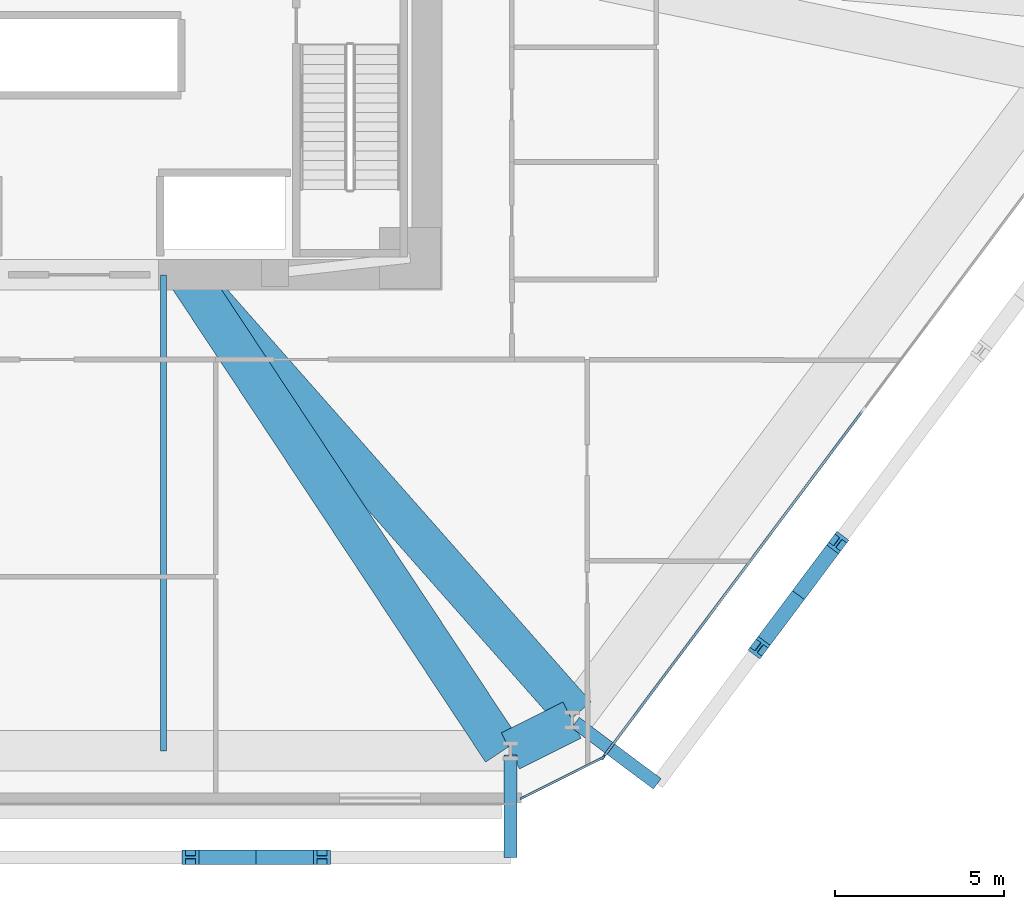
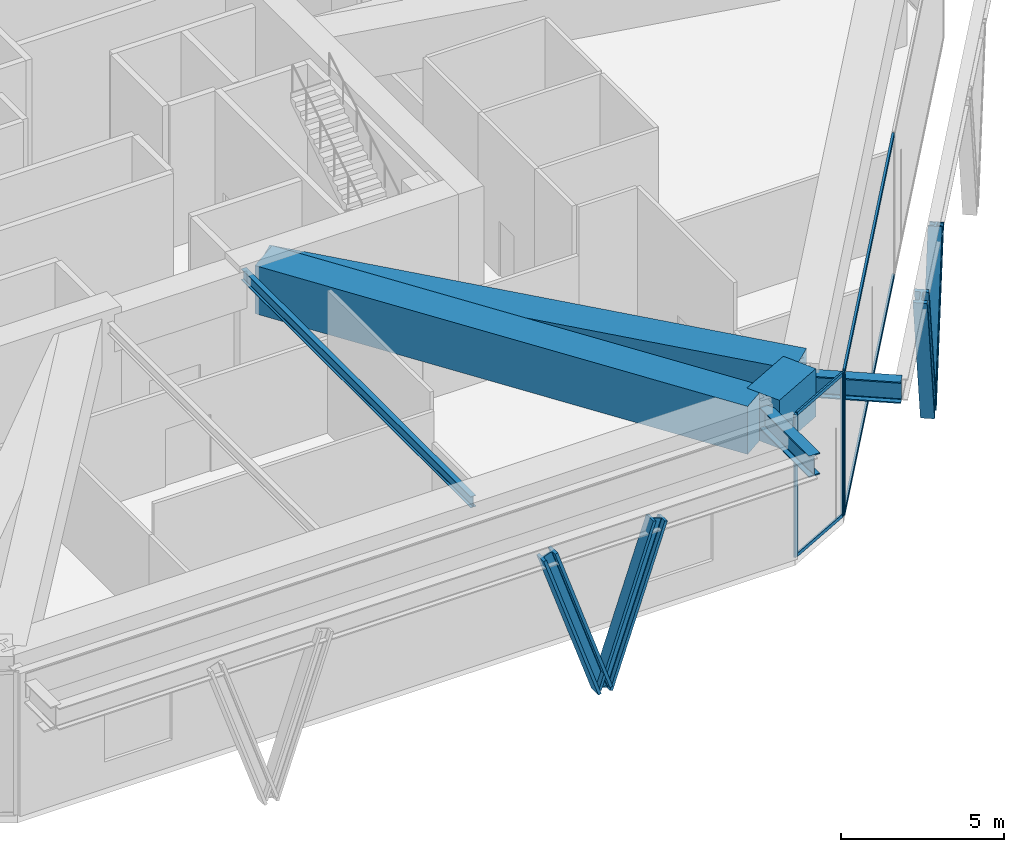
# One storey, part 5 of 19: 11 members, 6 beams, 2 elements without a shape of their own.
"""IFC4 building model written with IfcOpenShell, lengths in metres."""

import ifcopenshell
import ifcopenshell.guid

model = None  # the IFC model being written
_history = None  # IfcOwnerHistory: only IFC2X3 demands one
_inside = {}  # id of a spatial element -> (the spatial element, [elements in it])
_under = {}  # id of a project, library or spatial element -> (it, [spatial elements below it])
_declared = {}  # id of a project -> (the project, [libraries it declares])
_typed = {}  # id of a type object -> (the type object, [elements of that type])
_made_of = {}  # id of a material, layer set ... -> (it, [elements and type objects made of it])


def new_model(schema):
    """Start an empty IFC model of exactly this schema.

    Asked for "IFC4X3", IfcOpenShell would pick the latest addendum, in which some entities
    have other attributes; the version numbers below select the first issue.
    IFC2X3 requires an IfcOwnerHistory on every rooted entity: one is made here for all.
    """
    global model, _history
    if schema == "IFC4X3":
        model = ifcopenshell.file(schema_version=(4, 3, 0, 0))
    else:
        model = ifcopenshell.file(schema=schema)
    _inside.clear()
    _under.clear()
    _declared.clear()
    _typed.clear()
    _made_of.clear()
    _history = None
    if model.schema == "IFC2X3":
        org = make("IfcOrganization", Name="unknown")
        user = make(
            "IfcPersonAndOrganization",
            ThePerson=make("IfcPerson", FamilyName="unknown"),
            TheOrganization=org,
        )
        app = make(
            "IfcApplication",
            ApplicationDeveloper=org,
            Version="unknown",
            ApplicationFullName="unknown",
            ApplicationIdentifier="unknown",
        )
        _history = make(
            "IfcOwnerHistory",
            OwningUser=user,
            OwningApplication=app,
            ChangeAction="ADDED",
            CreationDate=0,
        )
    return model


def make(cls, **values):
    """One entity of the class cls with the attributes given. An attribute that is None is left unset."""
    return model.create_entity(
        cls, **{name: value for name, value in values.items() if value is not None}
    )


def rooted(cls, **values):
    """An entity with a GlobalId (a new one), such as an element, a storey or a relation."""
    return make(cls, GlobalId=ifcopenshell.guid.new(), OwnerHistory=_history, **values)


def si_unit(unit_type, name, prefix=None):
    """IfcSIUnit, for example si_unit("LENGTHUNIT", "METRE", prefix="MILLI")."""
    return make("IfcSIUnit", UnitType=unit_type, Prefix=prefix, Name=name)


def assignment(units):
    """IfcUnitAssignment: the units of a project."""
    return None if units is None else make("IfcUnitAssignment", Units=units)


def point(xyz):
    """IfcCartesianPoint."""
    return None if xyz is None else make("IfcCartesianPoint", Coordinates=xyz)


def direction(xyz):
    """IfcDirection."""
    return None if xyz is None else make("IfcDirection", DirectionRatios=xyz)


def frame(location, z_axis=None, x_axis=None):
    """IfcAxis2Placement3D, a coordinate frame: its origin and axes. An axis left out is left unset."""
    return make(
        "IfcAxis2Placement3D",
        Location=point(location),
        Axis=direction(z_axis),
        RefDirection=direction(x_axis),
    )


def frame_2d(location, x_axis=None):
    """IfcAxis2Placement2D, a coordinate frame in the plane: its origin and x axis."""
    return make(
        "IfcAxis2Placement2D", Location=point(location), RefDirection=direction(x_axis)
    )


def origin():
    """The frame at (0, 0, 0) with its axes left unset."""
    return frame((0.0, 0.0, 0.0))


def origin_2d():
    """The frame at (0, 0) in the plane with its x axis left unset."""
    return frame_2d((0.0, 0.0))


def place(relative_to, where):
    """IfcLocalPlacement: puts the frame where relative to a parent placement (None: the world)."""
    return make(
        "IfcLocalPlacement", PlacementRelTo=relative_to, RelativePlacement=where
    )


def context(
    kind, dimensions, precision=None, world=None, true_north=None, identifier=None
):
    """IfcGeometricRepresentationContext, for example the 3D "Model" context."""
    return make(
        "IfcGeometricRepresentationContext",
        ContextIdentifier=identifier,
        ContextType=kind,
        CoordinateSpaceDimension=dimensions,
        Precision=precision,
        WorldCoordinateSystem=world,
        TrueNorth=true_north,
    )


def subcontext(parent, identifier, kind, view, scale=None):
    """IfcGeometricRepresentationSubContext, for example "Body" below "Model"."""
    return make(
        "IfcGeometricRepresentationSubContext",
        ContextIdentifier=identifier,
        ContextType=kind,
        ParentContext=parent,
        TargetScale=scale,
        TargetView=view,
    )


def project(units=None, contexts=None):
    """IfcProject with its units and contexts."""
    return rooted(
        "IfcProject",
        Name="project",
        RepresentationContexts=contexts,
        UnitsInContext=assignment(units),
    )


def spatial(cls, under=None, at=None, **own):
    """A site, building, storey or space (cls), placed at a placement, below another one or the project."""
    s = rooted(cls, ObjectPlacement=at, **own)
    if under is not None:
        _under.setdefault(under.id(), (under, []))[1].append(s)
    return s


def profile(cls, at=None, kind="AREA", **sizes):
    """A parametric profile (cls). Its sizes go by their IFC names, for example OverallWidth=200.0."""
    return make(cls, ProfileType=kind, Position=at, **sizes)


def rectangle(**sizes):
    """IfcRectangleProfileDef."""
    return profile("IfcRectangleProfileDef", **sizes)


def i_section(**sizes):
    """IfcIShapeProfileDef."""
    return profile("IfcIShapeProfileDef", **sizes)


def extrude(swept, where, along, depth):
    """IfcExtrudedAreaSolid: the profile swept, set in the frame where, extruded along a direction by depth."""
    return make(
        "IfcExtrudedAreaSolid",
        SweptArea=swept,
        Position=where,
        ExtrudedDirection=direction(along),
        Depth=depth,
    )


def shape(context_of_items, identifier, shape_type, items):
    """IfcShapeRepresentation: the items that make up one representation, for example the "Body"."""
    return make(
        "IfcShapeRepresentation",
        ContextOfItems=context_of_items,
        RepresentationIdentifier=identifier,
        RepresentationType=shape_type,
        Items=items,
    )


def source(mapping_origin, context_of_items, identifier, shape_type, items):
    """IfcRepresentationMap: a shape defined once, which mapped items show again and again."""
    return make(
        "IfcRepresentationMap",
        MappingOrigin=mapping_origin,
        MappedRepresentation=shape(context_of_items, identifier, shape_type, items),
    )


def transform(
    local_origin,
    x_axis=None,
    y_axis=None,
    z_axis=None,
    scale=None,
    scale2=None,
    scale3=None,
    uniform=True,
):
    """IfcCartesianTransformationOperator3D, or its non-uniform kind. x_axis, y_axis, z_axis: its Axis1, 2, 3."""
    if uniform:
        return make(
            "IfcCartesianTransformationOperator3D",
            Axis1=direction(x_axis),
            Axis2=direction(y_axis),
            LocalOrigin=point(local_origin),
            Scale=scale,
            Axis3=direction(z_axis),
        )
    return make(
        "IfcCartesianTransformationOperator3DnonUniform",
        Axis1=direction(x_axis),
        Axis2=direction(y_axis),
        LocalOrigin=point(local_origin),
        Scale=scale,
        Axis3=direction(z_axis),
        Scale2=scale2,
        Scale3=scale3,
    )


def mapped(mapping_source, mapping_target):
    """IfcMappedItem: shows the shape of a source again, moved by a transform."""
    return make(
        "IfcMappedItem", MappingSource=mapping_source, MappingTarget=mapping_target
    )


def material(Name=None, Category=None):
    """IfcMaterial."""
    return make("IfcMaterial", Name=Name, Category=Category)


def layer(
    of_material, thickness, ventilated=None, Name=None, Category=None, Priority=None
):
    """IfcMaterialLayer: one layer of a wall or slab, of a material (None: an air gap)."""
    return make(
        "IfcMaterialLayer",
        Material=of_material,
        LayerThickness=thickness,
        IsVentilated=ventilated,
        Name=Name,
        Category=Category,
        Priority=Priority,
    )


def layer_set(layers, Name=None):
    """IfcMaterialLayerSet."""
    return make("IfcMaterialLayerSet", MaterialLayers=layers, LayerSetName=Name)


def material_profile(
    of_material, cross_section, Name=None, Category=None, Priority=None
):
    """IfcMaterialProfile: a cross section and its material."""
    return make(
        "IfcMaterialProfile",
        Name=Name,
        Material=of_material,
        Profile=cross_section,
        Priority=Priority,
        Category=Category,
    )


def profile_set(profiles, Name=None, composite=None):
    """IfcMaterialProfileSet."""
    return make(
        "IfcMaterialProfileSet",
        Name=Name,
        MaterialProfiles=profiles,
        CompositeProfile=composite,
    )


def made_of(thing, what):
    """Note that an element or type object is made of a material, layer set ...; save() writes the relation."""
    if what is not None:
        _made_of.setdefault(what.id(), (what, []))[1].append(thing)
    return thing


def type_object(cls, material=None, **own):
    """A type object (cls), such as IfcWallType, which elements share."""
    return made_of(rooted(cls, **own), material)


def type_shapes(of_type, sources):
    """Give a type object the sources (RepresentationMaps) that its elements show as mapped items."""
    of_type.RepresentationMaps = sources


def element(
    cls,
    number,
    at=None,
    inside=None,
    cuts=None,
    type_object=None,
    material=None,
    context=None,
    identifier="Body",
    shape_type=None,
    held_by="IfcProductDefinitionShape",
    body=None,
    shapes=None,
    **own,
):
    """One element of the class cls, such as IfcWall. Its Tag is "e" and its number.

    at: its placement. inside: the storey or other place that contains it. cuts: it is an
    opening in that element (IfcRelVoidsElement). A single representation is given by context,
    identifier, shape_type and body (its items); several are given by shapes. held_by: the class
    of the entity that holds the representations. save() writes the other relations.
    """
    e = rooted(cls, Tag="e%d" % number, ObjectPlacement=at, **own)
    if body is not None:
        shapes = [shape(context, identifier, shape_type, body)]
    if shapes is not None:
        e.Representation = make(held_by, Representations=shapes)
    if inside is not None:
        _inside.setdefault(inside.id(), (inside, []))[1].append(e)
    if cuts is not None:
        rooted(
            "IfcRelVoidsElement", RelatingBuildingElement=cuts, RelatedOpeningElement=e
        )
    if type_object is not None:
        _typed.setdefault(type_object.id(), (type_object, []))[1].append(e)
    return made_of(e, material)


def aggregate(whole, parts):
    """IfcRelAggregates: a whole, such as a stair, and the parts it consists of."""
    return rooted("IfcRelAggregates", RelatingObject=whole, RelatedObjects=parts)


def save(model, path):
    """Write the relations noted so far, then the file.

    IfcRelAggregates (storeys below a building ...), IfcRelContainedInSpatialStructure (elements
    in a storey), IfcRelDefinesByType, IfcRelAssociatesMaterial and IfcRelDeclares: one each for
    every whole, place, type object, material and project.
    """
    for whole, parts in _under.values():
        aggregate(whole, parts)
    for where, things in _inside.values():
        rooted(
            "IfcRelContainedInSpatialStructure",
            RelatedElements=things,
            RelatingStructure=where,
        )
    for kind, things in _typed.values():
        rooted("IfcRelDefinesByType", RelatedObjects=things, RelatingType=kind)
    for what, things in _made_of.values():
        rooted("IfcRelAssociatesMaterial", RelatedObjects=things, RelatingMaterial=what)
    for by, libraries in _declared.values():
        rooted("IfcRelDeclares", RelatingContext=by, RelatedDefinitions=libraries)
    model.write(path)


model = new_model("IFC4")

# Units and contexts
model_context = context("Model", 3, precision=1e-05, world=origin(), true_north=direction((0.0, 1.0)))
body_context = subcontext(model_context, "Body", "Model", "MODEL_VIEW")
ifc_project = project(units=[si_unit("LENGTHUNIT", "METRE"), si_unit("AREAUNIT", "SQUARE_METRE"), si_unit("VOLUMEUNIT", "CUBIC_METRE"), si_unit("PLANEANGLEUNIT", "RADIAN"), si_unit("MASSUNIT", "GRAM", prefix="KILO")], contexts=[model_context])

# Site, building, storey
site_placement = place(None, origin())
site = spatial("IfcSite", under=ifc_project, at=site_placement, CompositionType="ELEMENT")
building_placement = place(site_placement, origin())
building = spatial("IfcBuilding", under=site, at=building_placement, Name="Durnholm Broadcast Tower", CompositionType="ELEMENT")
storey_placement = place(building_placement, frame((0.0, 0.0, 26.800048828125)))
storey = spatial("IfcBuildingStorey", under=building, at=storey_placement, Name="L05", CompositionType="ELEMENT", Elevation=26.800048828125)

# Beams
ifc_material_1 = material(Name="Steel ASTM A992 Grade 50", Category="steel")
ifc_material_profile_1 = material_profile(ifc_material_1, i_section(OverallWidth=0.180908203125, OverallDepth=0.417236328125, WebThickness=0.010986328125, FlangeThickness=0.018310546875, FilletRadius=0.01904296875, at=origin_2d()), Name="W16X57")
ifc_profile_set_1 = profile_set([ifc_material_profile_1], Name="Steel ASTM A992 Grade 50")
beam_type_1 = type_object("IfcBeamType", Name="STL-BJ-W16X57", PredefinedType="JOIST", material=ifc_profile_set_1)
shared_shape_1 = source(origin(), body_context, "Body", "SweptSolid", [
    extrude(i_section(OverallWidth=0.180908203125, OverallDepth=0.417236328125, WebThickness=0.010986328125, FlangeThickness=0.018310546875, FilletRadius=0.01904296875, at=origin_2d()), origin(), (0.0, 0.0, 1.0), 14.099853515625),
])
type_shapes(beam_type_1, [shared_shape_1])
beam_1_placement = place(storey_placement, frame((2.5, -22.39990234375, 4.93115234375), z_axis=(0.0, 1.0, 0.0), x_axis=(-1.0, 0.0, 0.0)))
element("IfcBeam", 1, at=beam_1_placement, inside=storey, type_object=beam_type_1, Name="L05 secondary floor joist 6.1", PredefinedType="JOIST", context=body_context, shape_type="MappedRepresentation", body=[
    mapped(shared_shape_1, transform((0.0, 0.0, 0.0), x_axis=(1.0, 0.0, 0.0), y_axis=(0.0, 1.0, 0.0), z_axis=(0.0, 0.0, 1.0), scale=1.0)),
])
ifc_material_profile_2 = material_profile(ifc_material_1, i_section(OverallWidth=0.385009765625, OverallDepth=0.802978515625, WebThickness=0.023681640625, FlangeThickness=0.0419921875, FilletRadius=0.032958984375, at=origin_2d()), Name="W30X261")
ifc_profile_set_2 = profile_set([ifc_material_profile_2], Name="Steel ASTM A992 Grade 50")
beam_type_2 = type_object("IfcBeamType", Name="BM-EXO-TIE", PredefinedType="USERDEFINED", material=ifc_profile_set_2)
shared_shape_2 = source(origin(), body_context, "Body", "SweptSolid", [
    extrude(i_section(OverallWidth=0.385009765625, OverallDepth=0.802978515625, WebThickness=0.023681640625, FlangeThickness=0.0419921875, FilletRadius=0.032958984375, at=origin_2d()), origin(), (0.0, 0.0, 1.0), 3.024169921875),
])
type_shapes(beam_type_2, [shared_shape_2])
for number, where, z_axis, x_axis, name in (
    (2, (12.77197265625, -22.52587890625, 4.6083984375), (0.0, -1.0, 0.0), (1.0, 0.0, 0.0), "L05 exoskeleton stand-off tie bracket F1.2"),
    (3, (14.6953125, -21.56298828125, 4.6083984375), (0.800609912919, -0.599185920509, 0.0), (0.599185920509, 0.800609912919, 0.0), "L05 exoskeleton stand-off tie bracket F2.1"),
):
    element("IfcBeam", number, at=place(storey_placement, frame(where, z_axis=z_axis, x_axis=x_axis)), inside=storey, type_object=beam_type_2, Name=name, ObjectType="GIRDER", PredefinedType="USERDEFINED", context=body_context, shape_type="MappedRepresentation", body=[
        mapped(shared_shape_2, transform((0.0, 0.0, 0.0), x_axis=(1.0, 0.0, 0.0), y_axis=(0.0, 1.0, 0.0), z_axis=(0.0, 0.0, 1.0), scale=1.0)),
    ])
ifc_material_2 = material(Name="Concrete C70/85", Category="concrete")
ifc_material_profile_3 = material_profile(ifc_material_2, rectangle(XDim=1.199951171875, YDim=1.800048828125, at=origin_2d()), Name="RC1200X1800")
ifc_profile_set_3 = profile_set([ifc_material_profile_3], Name="Concrete C70/85")
beam_type_3 = type_object("IfcBeamType", Name="BM-TG-RC1800", PredefinedType="USERDEFINED", material=ifc_profile_set_3)
shared_shape_3 = source(origin(), body_context, "Body", "SweptSolid", [
    extrude(rectangle(XDim=1.199951171875, YDim=1.800048828125, at=origin_2d()), origin(), (0.0, 0.0, 1.0), 2.0380859375),
])
beam_2_placement = place(storey_placement, frame((14.594482421875, -21.487548828125, 4.4599609375), z_axis=(-0.894211470078, -0.447644777452, 0.0), x_axis=(0.447644777452, -0.894211470078, 0.0)))
element("IfcBeam", 4, at=beam_2_placement, inside=storey, type_object=beam_type_3, Name="L05 perimeter transfer spandrel girder 10", PredefinedType="SPANDREL", context=body_context, shape_type="MappedRepresentation", body=[
    mapped(shared_shape_3, transform((0.0, 0.0, 0.0), x_axis=(1.0, 0.0, 0.0), y_axis=(0.0, 1.0, 0.0), z_axis=(0.0, 0.0, 1.0), scale=1.0)),
])
shared_shape_4 = source(origin(), body_context, "Body", "SweptSolid", [
    extrude(rectangle(XDim=1.199951171875, YDim=1.800048828125, at=origin_2d()), origin(), (0.0, 0.0, 1.0), 17.3896484375),
])
beam_3_placement = place(storey_placement, frame((3.199951171875, -8.300048828125, 4.4599609375), z_axis=(0.66161792239, -0.749841133023, 0.0), x_axis=(0.749841133023, 0.66161792239, 0.0)))
element("IfcBeam", 5, at=beam_3_placement, inside=storey, type_object=beam_type_3, Name="L05 radial setback transfer girder 10", ObjectType="GIRDER", PredefinedType="USERDEFINED", context=body_context, shape_type="MappedRepresentation", body=[
    mapped(shared_shape_4, transform((0.0, 0.0, 0.0), x_axis=(1.0, 0.0, 0.0), y_axis=(0.0, 1.0, 0.0), z_axis=(0.0, 0.0, 1.0), scale=1.0)),
])
shared_shape_5 = source(origin(), body_context, "Body", "SweptSolid", [
    extrude(rectangle(XDim=1.199951171875, YDim=1.800048828125, at=origin_2d()), origin(), (0.0, 0.0, 1.0), 16.9091796875),
])
type_shapes(beam_type_3, [shared_shape_3, shared_shape_4, shared_shape_5])
beam_4_placement = place(storey_placement, frame((3.199951171875, -8.300048828125, 4.4599609375), z_axis=(0.551978381139, -0.83385842129, 0.0), x_axis=(0.83385842129, 0.551978381139, 0.0)))
element("IfcBeam", 6, at=beam_4_placement, inside=storey, type_object=beam_type_3, Name="L05 radial setback transfer girder 11", ObjectType="GIRDER", PredefinedType="USERDEFINED", context=body_context, shape_type="MappedRepresentation", body=[
    mapped(shared_shape_5, transform((0.0, 0.0, 0.0), x_axis=(1.0, 0.0, 0.0), y_axis=(0.0, 1.0, 0.0), z_axis=(0.0, 0.0, 1.0), scale=1.0)),
])

# Members
ifc_material_3 = material(Name="Steel ASTM A913 Grade 65", Category="steel")
ifc_material_profile_4 = material_profile(ifc_material_3, i_section(OverallWidth=0.44189453125, OverallDepth=0.531494140625, WebThickness=0.06591796875, FlangeThickness=0.105712890625, FilletRadius=0.030517578125, at=origin_2d()), Name="W14X605")
ifc_profile_set_4 = profile_set([ifc_material_profile_4], Name="Steel ASTM A913 Grade 65")
member_type_1 = type_object("IfcMemberType", Name="STL-DG-W14X605", PredefinedType="BRACE", material=ifc_profile_set_4)
shared_shape_6 = source(origin(), body_context, "Body", "SweptSolid", [
    extrude(i_section(OverallWidth=0.44189453125, OverallDepth=0.531494140625, WebThickness=0.06591796875, FlangeThickness=0.105712890625, FilletRadius=0.030517578125, at=origin_2d()), origin(), (0.0, 0.0, 1.0), 6.00341796875),
])
type_shapes(member_type_1, [shared_shape_6])
for number, where, z_axis, x_axis, name in (
    (7, (5.242431640625, -25.550048828125, -1.071533203125), (-0.323866827071, 0.0, 0.946102678531), (0.0, -1.0, 0.0), "L05 stand-off diagrid brace F1.D2.1"),
    (8, (5.242431640625, -25.550048828125, -1.071533203125), (0.323830425483, 0.0, 0.946115138623), (0.0, 1.0, 0.0), "L05 stand-off diagrid brace F1.D2.2"),
    (9, (21.298095703125, -17.787109375, -1.071533203125), (-0.194022731691, -0.259252759281, 0.946120069754), (0.800617464095, -0.599175830776, 0.0), "L05 stand-off diagrid brace F2.D1.1"),
    (10, (21.298095703125, -17.787109375, -1.071533203125), (0.194059821321, 0.259288646425, 0.946102628463), (-0.800602308277, 0.599196081414, 0.0), "L05 stand-off diagrid brace F2.D1.2"),
):
    element("IfcMember", number, at=place(storey_placement, frame(where, z_axis=z_axis, x_axis=x_axis)), inside=storey, type_object=member_type_1, Name=name, PredefinedType="BRACE", context=body_context, shape_type="MappedRepresentation", body=[
        mapped(shared_shape_6, transform((0.0, 0.0, 0.0), x_axis=(1.0, 0.0, 0.0), y_axis=(0.0, 1.0, 0.0), z_axis=(0.0, 0.0, 1.0), scale=1.0)),
    ])

# Curtain wall, members
ifc_material_4 = material(Name="Aluminium and Solar Control IGU", Category="aluminium")
ifc_layer_1 = layer(ifc_material_4, 0.1650390625)
ifc_layer_set_1 = layer_set([ifc_layer_1], Name="Aluminium and Solar Control IGU")
curtain_wall_type_1 = type_object("IfcCurtainWallType", Name="CW-SYS-5", PredefinedType="NOTDEFINED", material=ifc_layer_set_1)
curtain_wall_1_placement = place(storey_placement, origin())
curtain_wall_1 = element("IfcCurtainWall", 11, at=curtain_wall_1_placement, inside=storey, type_object=curtain_wall_type_1, Name="L05 curtain wall CW-CORNER CW-L05-CRN-09", PredefinedType="NOTDEFINED")
ifc_material_5 = material(Name="Aluminium 6063-T6", Category="aluminium")
ifc_material_profile_5 = material_profile(ifc_material_5, rectangle(XDim=0.06494140625, YDim=0.1298828125, at=origin_2d()), Name="CWT65X130")
ifc_profile_set_5 = profile_set([ifc_material_profile_5], Name="Aluminium 6063-T6")
member_type_2 = type_object("IfcMemberType", Name="CW-SYS-5-TRN", PredefinedType="USERDEFINED", material=ifc_profile_set_5)
shared_shape_7 = source(origin(), body_context, "Body", "SweptSolid", [
    extrude(rectangle(XDim=0.06494140625, YDim=0.1298828125, at=origin_2d()), origin(), (0.0, 0.0, 1.0), 2.570068359375),
])
type_shapes(member_type_2, [shared_shape_7])
member_1_placement = place(storey_placement, frame((15.458984375, -22.620361328125, 0.032470703125), z_axis=(-0.894180069769, -0.447707496953, 0.0), x_axis=(0.447707496953, -0.894180069769, 0.0)))
member_1 = element("IfcMember", 12, at=member_1_placement, type_object=member_type_2, Name="CW-CORNER transom 1.1", ObjectType="TRANSOM", PredefinedType="USERDEFINED", context=body_context, shape_type="MappedRepresentation", body=[
    mapped(shared_shape_7, transform((0.0, 0.0, 0.0), x_axis=(1.0, 0.0, 0.0), y_axis=(0.0, 1.0, 0.0), z_axis=(0.0, 0.0, 1.0), scale=1.0)),
])
member_2_placement = place(storey_placement, frame((15.458984375, -22.620361328125, 5.327392578125), z_axis=(-0.894180069769, -0.447707496953, 0.0), x_axis=(0.447707496953, -0.894180069769, 0.0)))
member_2 = element("IfcMember", 13, at=member_2_placement, type_object=member_type_2, Name="CW-CORNER transom 1.2", ObjectType="TRANSOM", PredefinedType="USERDEFINED", context=body_context, shape_type="MappedRepresentation", body=[
    mapped(shared_shape_7, transform((0.0, 0.0, 0.0), x_axis=(1.0, 0.0, 0.0), y_axis=(0.0, 1.0, 0.0), z_axis=(0.0, 0.0, 1.0), scale=1.0)),
])

ifc_layer_2 = layer(ifc_material_4, 0.219970703125)
ifc_layer_set_2 = layer_set([ifc_layer_2], Name="Aluminium and Solar Control IGU")
curtain_wall_type_2 = type_object("IfcCurtainWallType", Name="CW-SYS-2", PredefinedType="NOTDEFINED", material=ifc_layer_set_2)
curtain_wall_2_placement = place(storey_placement, origin())
curtain_wall_2 = element("IfcCurtainWall", 14, at=curtain_wall_2_placement, inside=storey, type_object=curtain_wall_type_2, Name="L05 curtain wall CW-STUDIO CW-L05-F08", PredefinedType="NOTDEFINED")
ifc_material_profile_6 = material_profile(ifc_material_5, rectangle(XDim=0.074951171875, YDim=0.179931640625, at=origin_2d()), Name="CWT75X180")
ifc_profile_set_6 = profile_set([ifc_material_profile_6], Name="Aluminium 6063-T6")
member_type_3 = type_object("IfcMemberType", Name="CW-SYS-2-TRN", PredefinedType="USERDEFINED", material=ifc_profile_set_6)
shared_shape_8 = source(origin(), body_context, "Body", "SweptSolid", [
    extrude(rectangle(XDim=0.074951171875, YDim=0.179931640625, at=origin_2d()), origin(), (0.0, 0.0, 1.0), 12.736328125),
])
type_shapes(member_type_3, [shared_shape_8])
member_3_placement = place(storey_placement, frame((23.193115234375, -12.334228515625, 0.037353515625), z_axis=(-0.59916237373, -0.800627535066, 0.0), x_axis=(0.800627535066, -0.59916237373, 0.0)))
member_3 = element("IfcMember", 15, at=member_3_placement, type_object=member_type_3, Name="CW-STUDIO transom 2.1", ObjectType="TRANSOM", PredefinedType="USERDEFINED", context=body_context, shape_type="MappedRepresentation", body=[
    mapped(shared_shape_8, transform((0.0, 0.0, 0.0), x_axis=(1.0, 0.0, 0.0), y_axis=(0.0, 1.0, 0.0), z_axis=(0.0, 0.0, 1.0), scale=1.0)),
])
member_4_placement = place(storey_placement, frame((23.193115234375, -12.334228515625, 5.322509765625), z_axis=(-0.59916237373, -0.800627535066, 0.0), x_axis=(0.800627535066, -0.59916237373, 0.0)))
member_4 = element("IfcMember", 16, at=member_4_placement, type_object=member_type_3, Name="CW-STUDIO transom 2.2", ObjectType="TRANSOM", PredefinedType="USERDEFINED", context=body_context, shape_type="MappedRepresentation", body=[
    mapped(shared_shape_8, transform((0.0, 0.0, 0.0), x_axis=(1.0, 0.0, 0.0), y_axis=(0.0, 1.0, 0.0), z_axis=(0.0, 0.0, 1.0), scale=1.0)),
])

# Member
ifc_material_profile_7 = material_profile(ifc_material_5, rectangle(XDim=0.06494140625, YDim=0.1650390625, at=origin_2d()), Name="CWM65X165")
ifc_profile_set_7 = profile_set([ifc_material_profile_7], Name="Aluminium 6063-T6")
member_type_4 = type_object("IfcMemberType", Name="CW-SYS-5-MUL", PredefinedType="MULLION", material=ifc_profile_set_7)
shared_shape_9 = source(origin(), body_context, "Body", "SweptSolid", [
    extrude(rectangle(XDim=0.06494140625, YDim=0.1650390625, at=origin_2d()), origin(), (0.0, 0.0, 1.0), 5.35986328125),
])
type_shapes(member_type_4, [shared_shape_9])
member_5_placement = place(storey_placement, frame((15.488037109375, -22.60595703125, 0.0), z_axis=(0.0, 0.0, 1.0), x_axis=(0.447672802098, -0.894197440313, 0.0)))
member_5 = element("IfcMember", 17, at=member_5_placement, type_object=member_type_4, Name="CW-CORNER mullion 1", PredefinedType="MULLION", context=body_context, shape_type="MappedRepresentation", body=[
    mapped(shared_shape_9, transform((0.0, 0.0, 0.0), x_axis=(1.0, 0.0, 0.0), y_axis=(0.0, 1.0, 0.0), z_axis=(0.0, 0.0, 1.0), scale=1.0)),
])

member_6_placement = place(storey_placement, frame((13.1318359375, -23.785400390625, 0.0), z_axis=(0.0, 0.0, 1.0), x_axis=(0.447672802098, -0.894197440313, 0.0)))
member_6 = element("IfcMember", 18, at=member_6_placement, type_object=member_type_4, Name="CW-CORNER mullion 2", PredefinedType="MULLION", context=body_context, shape_type="MappedRepresentation", body=[
    mapped(shared_shape_9, transform((0.0, 0.0, 0.0), x_axis=(1.0, 0.0, 0.0), y_axis=(0.0, 1.0, 0.0), z_axis=(0.0, 0.0, 1.0), scale=1.0)),
])

aggregate(curtain_wall_1, [member_5, member_6, member_1, member_2])

ifc_material_profile_8 = material_profile(ifc_material_5, rectangle(XDim=0.074951171875, YDim=0.219970703125, at=origin_2d()), Name="CWM75X220")
ifc_profile_set_8 = profile_set([ifc_material_profile_8], Name="Aluminium 6063-T6")
member_type_5 = type_object("IfcMemberType", Name="CW-SYS-2-MUL", PredefinedType="MULLION", material=ifc_profile_set_8)
shared_shape_10 = source(origin(), body_context, "Body", "SweptSolid", [
    extrude(rectangle(XDim=0.074951171875, YDim=0.219970703125, at=origin_2d()), origin(), (0.0, 0.0, 1.0), 5.35986328125),
])
type_shapes(member_type_5, [shared_shape_10])
member_7_placement = place(storey_placement, frame((15.53955078125, -22.561279296875, 0.0), z_axis=(0.0, 0.0, 1.0), x_axis=(0.800631836327, -0.59915662615, 0.0)))
member_7 = element("IfcMember", 19, at=member_7_placement, type_object=member_type_5, Name="CW-STUDIO mullion 3", PredefinedType="MULLION", context=body_context, shape_type="MappedRepresentation", body=[
    mapped(shared_shape_10, transform((0.0, 0.0, 0.0), x_axis=(1.0, 0.0, 0.0), y_axis=(0.0, 1.0, 0.0), z_axis=(0.0, 0.0, 1.0), scale=1.0)),
])

aggregate(curtain_wall_2, [member_7, member_3, member_4])

save(model, "model.ifc")
